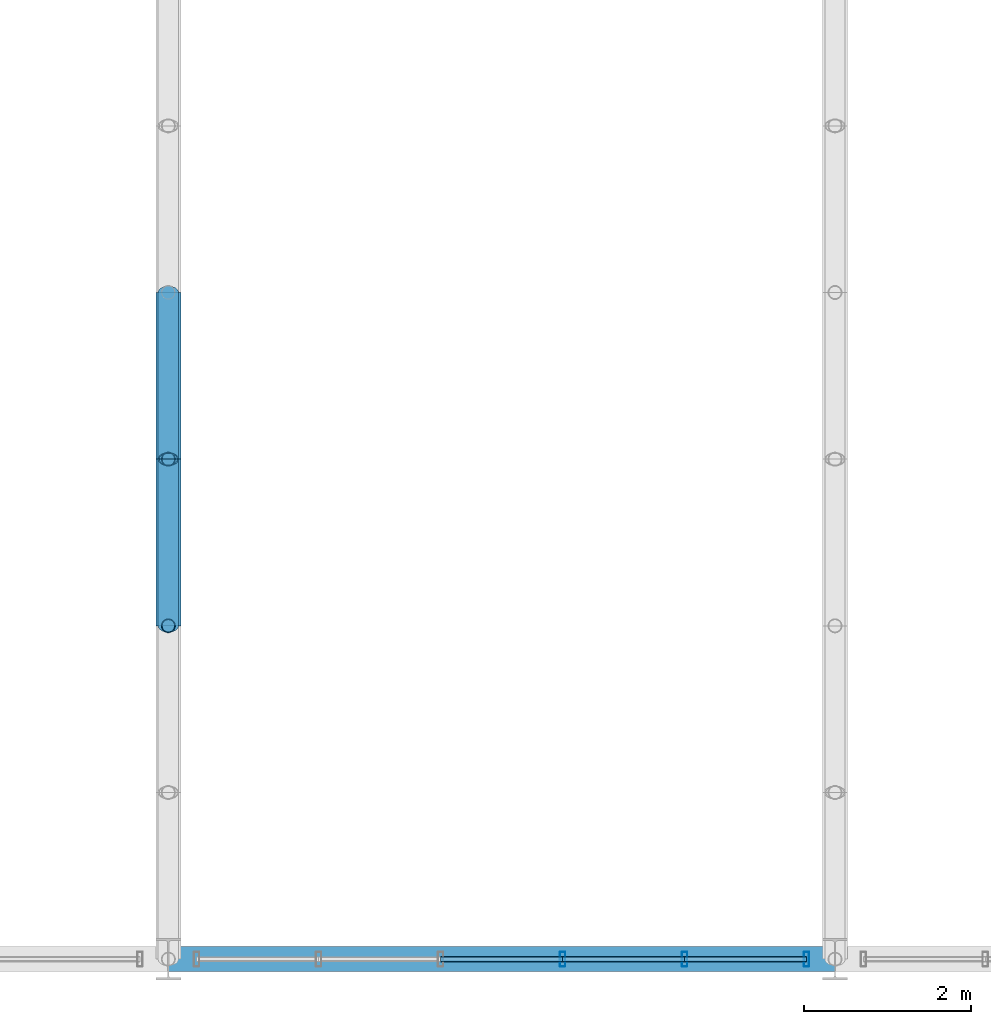
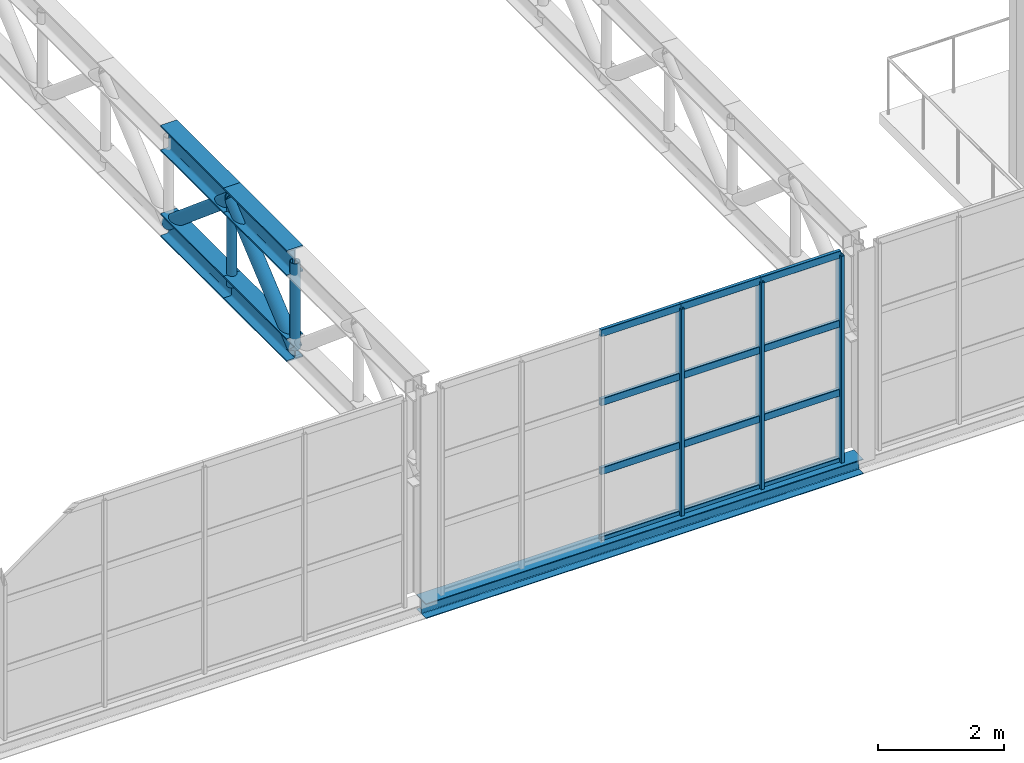
# One storey, part 19 of 67: 23 members, 1 beam, 1 element without a shape of its own.
"""IFC4 building model written with IfcOpenShell, lengths in metres."""

from ifc_helpers import new_model, si_unit, derived_unit, direction, frame, origin, origin_2d, place, context, subcontext, project, spatial, hollow_rectangle, hollow_circle, i_section, extrude, material, material_profile, profile_set, type_object, element, aggregate, save


model = new_model("IFC4")

# Units and contexts
model_context = context("Model", 3, precision=1e-05, world=origin(), true_north=direction((0.0, 1.0)))
body_context = subcontext(model_context, "Body", "Model", "MODEL_VIEW")
ifc_project = project(units=[si_unit("LENGTHUNIT", "METRE"), si_unit("AREAUNIT", "SQUARE_METRE"), si_unit("VOLUMEUNIT", "CUBIC_METRE"), si_unit("PLANEANGLEUNIT", "RADIAN"), si_unit("MASSUNIT", "GRAM", prefix="KILO"), derived_unit("THERMALTRANSMITTANCEUNIT", [(si_unit("POWERUNIT", "WATT"), 1), (si_unit("LENGTHUNIT", "METRE"), -2), (si_unit("THERMODYNAMICTEMPERATUREUNIT", "KELVIN"), -1)])], contexts=[model_context])

# Site, building, storey
site_placement = place(None, origin())
site = spatial("IfcSite", under=ifc_project, at=site_placement, CompositionType="ELEMENT")
building_placement = place(site_placement, origin())
building = spatial("IfcBuilding", under=site, at=building_placement, Name="Keldorne Ridge Multi-Sports Centre", CompositionType="ELEMENT")
storey_placement = place(building_placement, frame((0.0, 0.0, 14.0)))
storey = spatial("IfcBuildingStorey", under=building, at=storey_placement, Name="L03", CompositionType="ELEMENT", Elevation=14.0)

# Beam
ifc_material_1 = material(Name="Steel S355", Category="steel")
ifc_material_profile_1 = material_profile(ifc_material_1, i_section(OverallWidth=0.300048828125, OverallDepth=0.2900390625, WebThickness=0.008544921875, FlangeThickness=0.013916015625, FilletRadius=0.027099609375, at=origin_2d()), Name="HEA 300")
ifc_profile_set_1 = profile_set([ifc_material_profile_1], Name="Steel S355")
beam_type = type_object("IfcBeamType", Name="BM-SP-04", PredefinedType="SPANDREL", material=ifc_profile_set_1)
beam_placement = place(storey_placement, frame((144.0, 6.0, -0.14990234375), z_axis=(1.0, 0.0, 0.0), x_axis=(0.0, 1.0, 0.0)))
element("IfcBeam", 1, at=beam_placement, inside=storey, type_object=beam_type, Name="Stacked Courts spandrel L03.6.6", PredefinedType="SPANDREL", context=body_context, shape_type="SweptSolid", body=[
    extrude(i_section(OverallWidth=0.300048828125, OverallDepth=0.2900390625, WebThickness=0.008544921875, FlangeThickness=0.013916015625, FilletRadius=0.027099609375, at=origin_2d()), origin(), (0.0, 0.0, 1.0), 8.0),
])

# Curtain wall, members
ifc_material_2 = material(Name="Anodized aluminium", Category="aluminium")
curtain_wall_type = type_object("IfcCurtainWallType", Name="CW-CW-01", PredefinedType="NOTDEFINED", material=ifc_material_2)
curtain_wall_placement = place(storey_placement, origin())
curtain_wall = element("IfcCurtainWall", 2, at=curtain_wall_placement, inside=storey, type_object=curtain_wall_type, Name="Upper Courts high clerestory 121", PredefinedType="NOTDEFINED")
ifc_material_profile_2 = material_profile(ifc_material_2, hollow_rectangle(XDim=0.06494140625, YDim=0.179931640625, WallThickness=0.00439453125, InnerFilletRadius=0.00439453125, OuterFilletRadius=0.009033203125, at=origin_2d()), Name="ALU MULLION 180x65x4.5")
ifc_profile_set_2 = profile_set([ifc_material_profile_2], Name="Anodized aluminium")
member_type_1 = type_object("IfcMemberType", Name="MEM-ML-01", PredefinedType="MULLION", material=ifc_profile_set_2)
member_1_placement = place(storey_placement, frame((148.73193359375, 6.0, 0.0), z_axis=(0.0, 0.0, 1.0), x_axis=(1.0, 0.0, 0.0)))
member_1 = element("IfcMember", 3, at=member_1_placement, type_object=member_type_1, Name="CW-121 vertical mullion 4", PredefinedType="MULLION", context=body_context, shape_type="SweptSolid", body=[
    extrude(hollow_rectangle(XDim=0.06494140625, YDim=0.179931640625, WallThickness=0.00439453125, InnerFilletRadius=0.00439453125, OuterFilletRadius=0.009033203125, at=origin_2d()), origin(), (0.0, 0.0, 1.0), 4.0),
])
member_2_placement = place(storey_placement, frame((150.196044921875, 6.0, 0.0), z_axis=(0.0, 0.0, 1.0), x_axis=(1.0, 0.0, 0.0)))
member_2 = element("IfcMember", 4, at=member_2_placement, type_object=member_type_1, Name="CW-121 vertical mullion 5", PredefinedType="MULLION", context=body_context, shape_type="SweptSolid", body=[
    extrude(hollow_rectangle(XDim=0.06494140625, YDim=0.179931640625, WallThickness=0.00439453125, InnerFilletRadius=0.00439453125, OuterFilletRadius=0.009033203125, at=origin_2d()), origin(), (0.0, 0.0, 1.0), 4.0),
])
member_3_placement = place(storey_placement, frame((151.659912109375, 6.0, 0.0), z_axis=(0.0, 0.0, 1.0), x_axis=(1.0, 0.0, 0.0)))
member_3 = element("IfcMember", 5, at=member_3_placement, type_object=member_type_1, Name="CW-121 vertical mullion 6", PredefinedType="MULLION", context=body_context, shape_type="SweptSolid", body=[
    extrude(hollow_rectangle(XDim=0.06494140625, YDim=0.179931640625, WallThickness=0.00439453125, InnerFilletRadius=0.00439453125, OuterFilletRadius=0.009033203125, at=origin_2d()), origin(), (0.0, 0.0, 1.0), 4.0),
])

# Members
ifc_material_profile_3 = material_profile(ifc_material_1, i_section(OverallWidth=0.300048828125, OverallDepth=0.5, WebThickness=0.014404296875, FlangeThickness=0.028076171875, FilletRadius=0.027099609375, at=origin_2d()), Name="HEB 500")
ifc_profile_set_3 = profile_set([ifc_material_profile_3], Name="Steel S355")
member_type_2 = type_object("IfcMemberType", Name="MEM-TC-03", PredefinedType="CHORD", material=ifc_profile_set_3)
for number, where, z_axis, x_axis, name in (
    (6, (144.0, 10.0, 4.110107421875), (0.0, 1.0, 0.0), (-1.0, 0.0, 0.0), "Stacked Courts Warren TRUSS WT-L04-06 top chord 3"),
    (7, (144.0, 12.0, 4.110107421875), (0.0, 1.0, 0.0), (-1.0, 0.0, 0.0), "Stacked Courts Warren TRUSS WT-L04-06 top chord 4"),
):
    element("IfcMember", number, at=place(storey_placement, frame(where, z_axis=z_axis, x_axis=x_axis)), inside=storey, type_object=member_type_2, Name=name, PredefinedType="CHORD", context=body_context, shape_type="SweptSolid", body=[
        extrude(i_section(OverallWidth=0.300048828125, OverallDepth=0.5, WebThickness=0.014404296875, FlangeThickness=0.028076171875, FilletRadius=0.027099609375, at=origin_2d()), origin(), (0.0, 0.0, 1.0), 2.0),
    ])
ifc_material_profile_4 = material_profile(ifc_material_1, i_section(OverallWidth=0.300048828125, OverallDepth=0.449951171875, WebThickness=0.013916015625, FlangeThickness=0.02587890625, FilletRadius=0.027099609375, at=origin_2d()), Name="HEB 450")
ifc_profile_set_4 = profile_set([ifc_material_profile_4], Name="Steel S355")
member_type_3 = type_object("IfcMemberType", Name="MEM-TC-04", PredefinedType="CHORD", material=ifc_profile_set_4)
for number, where, z_axis, x_axis, name in (
    (8, (144.0, 10.0, 2.429931640625), (0.0, 1.0, 0.0), (-1.0, 0.0, 0.0), "Stacked Courts Warren TRUSS WT-L04-06 bottom chord 3"),
    (9, (144.0, 12.0, 2.429931640625), (0.0, 1.0, 0.0), (-1.0, 0.0, 0.0), "Stacked Courts Warren TRUSS WT-L04-06 bottom chord 4"),
):
    element("IfcMember", number, at=place(storey_placement, frame(where, z_axis=z_axis, x_axis=x_axis)), inside=storey, type_object=member_type_3, Name=name, PredefinedType="CHORD", context=body_context, shape_type="SweptSolid", body=[
        extrude(i_section(OverallWidth=0.300048828125, OverallDepth=0.449951171875, WebThickness=0.013916015625, FlangeThickness=0.02587890625, FilletRadius=0.027099609375, at=origin_2d()), origin(), (0.0, 0.0, 1.0), 2.0),
    ])
ifc_material_profile_5 = material_profile(ifc_material_1, hollow_circle(Radius=0.122314453125, WallThickness=0.012451171875, at=origin_2d()), Name="CHS 244.5x12.5")
ifc_profile_set_5 = profile_set([ifc_material_profile_5], Name="Steel S355")
member_type_4 = type_object("IfcMemberType", Name="MEM-TD-02", PredefinedType="BRACE", material=ifc_profile_set_5)
for number, where, z_axis, x_axis, name in (
    (10, (144.0, 10.0, 2.429931640625), (0.0, 0.765671721121, 0.643231541108), (-1.0, 0.0, 0.0), "Stacked Courts Warren TRUSS WT-L04-06 diagonal 3"),
    (11, (144.0, 12.0, 4.110107421875), (0.0, 0.765671721121, -0.643231541108), (-1.0, 0.0, 0.0), "Stacked Courts Warren TRUSS WT-L04-06 diagonal 4"),
):
    element("IfcMember", number, at=place(storey_placement, frame(where, z_axis=z_axis, x_axis=x_axis)), inside=storey, type_object=member_type_4, Name=name, PredefinedType="BRACE", context=body_context, shape_type="SweptSolid", body=[
        extrude(hollow_circle(Radius=0.122314453125, WallThickness=0.012451171875, at=origin_2d()), origin(), (0.0, 0.0, 1.0), 2.612060546875),
    ])

# Member
ifc_material_profile_6 = material_profile(ifc_material_2, hollow_rectangle(XDim=0.06494140625, YDim=0.139892578125, WallThickness=0.00439453125, InnerFilletRadius=0.00439453125, OuterFilletRadius=0.009033203125, at=origin_2d()), Name="ALU TRANSOM 140x65x4.5")
ifc_profile_set_6 = profile_set([ifc_material_profile_6], Name="Anodized aluminium")
member_type_5 = type_object("IfcMemberType", Name="MEM-TR-01", PredefinedType="USERDEFINED", material=ifc_profile_set_6)
member_4_placement = place(storey_placement, frame((147.26806640625, 6.0, 0.0), z_axis=(1.0, 0.0, 0.0), x_axis=(0.0, 1.0, 0.0)))
member_4 = element("IfcMember", 12, at=member_4_placement, type_object=member_type_5, Name="CW-121 transom 3.1", ObjectType="TRANSOM", PredefinedType="USERDEFINED", context=body_context, shape_type="SweptSolid", body=[
    extrude(hollow_rectangle(XDim=0.06494140625, YDim=0.139892578125, WallThickness=0.00439453125, InnerFilletRadius=0.00439453125, OuterFilletRadius=0.009033203125, at=origin_2d()), origin(), (0.0, 0.0, 1.0), 1.4638671875),
])

member_5_placement = place(storey_placement, frame((147.26806640625, 6.0, 1.333251953125), z_axis=(1.0, 0.0, 0.0), x_axis=(0.0, 1.0, 0.0)))
member_5 = element("IfcMember", 13, at=member_5_placement, type_object=member_type_5, Name="CW-121 transom 3.2", ObjectType="TRANSOM", PredefinedType="USERDEFINED", context=body_context, shape_type="SweptSolid", body=[
    extrude(hollow_rectangle(XDim=0.06494140625, YDim=0.139892578125, WallThickness=0.00439453125, InnerFilletRadius=0.00439453125, OuterFilletRadius=0.009033203125, at=origin_2d()), origin(), (0.0, 0.0, 1.0), 1.4638671875),
])

member_6_placement = place(storey_placement, frame((147.26806640625, 6.0, 2.666748046875), z_axis=(1.0, 0.0, 0.0), x_axis=(0.0, 1.0, 0.0)))
member_6 = element("IfcMember", 14, at=member_6_placement, type_object=member_type_5, Name="CW-121 transom 3.3", ObjectType="TRANSOM", PredefinedType="USERDEFINED", context=body_context, shape_type="SweptSolid", body=[
    extrude(hollow_rectangle(XDim=0.06494140625, YDim=0.139892578125, WallThickness=0.00439453125, InnerFilletRadius=0.00439453125, OuterFilletRadius=0.009033203125, at=origin_2d()), origin(), (0.0, 0.0, 1.0), 1.4638671875),
])

member_7_placement = place(storey_placement, frame((147.26806640625, 6.0, 4.0), z_axis=(1.0, 0.0, 0.0), x_axis=(0.0, 1.0, 0.0)))
member_7 = element("IfcMember", 15, at=member_7_placement, type_object=member_type_5, Name="CW-121 transom 3.4", ObjectType="TRANSOM", PredefinedType="USERDEFINED", context=body_context, shape_type="SweptSolid", body=[
    extrude(hollow_rectangle(XDim=0.06494140625, YDim=0.139892578125, WallThickness=0.00439453125, InnerFilletRadius=0.00439453125, OuterFilletRadius=0.009033203125, at=origin_2d()), origin(), (0.0, 0.0, 1.0), 1.4638671875),
])

member_8_placement = place(storey_placement, frame((148.73193359375, 6.0, 0.0), z_axis=(1.0, 0.0, 0.0), x_axis=(0.0, 1.0, 0.0)))
member_8 = element("IfcMember", 16, at=member_8_placement, type_object=member_type_5, Name="CW-121 transom 4.1", ObjectType="TRANSOM", PredefinedType="USERDEFINED", context=body_context, shape_type="SweptSolid", body=[
    extrude(hollow_rectangle(XDim=0.06494140625, YDim=0.139892578125, WallThickness=0.00439453125, InnerFilletRadius=0.00439453125, OuterFilletRadius=0.009033203125, at=origin_2d()), origin(), (0.0, 0.0, 1.0), 1.464111328125),
])

member_9_placement = place(storey_placement, frame((148.73193359375, 6.0, 1.333251953125), z_axis=(1.0, 0.0, 0.0), x_axis=(0.0, 1.0, 0.0)))
member_9 = element("IfcMember", 17, at=member_9_placement, type_object=member_type_5, Name="CW-121 transom 4.2", ObjectType="TRANSOM", PredefinedType="USERDEFINED", context=body_context, shape_type="SweptSolid", body=[
    extrude(hollow_rectangle(XDim=0.06494140625, YDim=0.139892578125, WallThickness=0.00439453125, InnerFilletRadius=0.00439453125, OuterFilletRadius=0.009033203125, at=origin_2d()), origin(), (0.0, 0.0, 1.0), 1.464111328125),
])

member_10_placement = place(storey_placement, frame((148.73193359375, 6.0, 2.666748046875), z_axis=(1.0, 0.0, 0.0), x_axis=(0.0, 1.0, 0.0)))
member_10 = element("IfcMember", 18, at=member_10_placement, type_object=member_type_5, Name="CW-121 transom 4.3", ObjectType="TRANSOM", PredefinedType="USERDEFINED", context=body_context, shape_type="SweptSolid", body=[
    extrude(hollow_rectangle(XDim=0.06494140625, YDim=0.139892578125, WallThickness=0.00439453125, InnerFilletRadius=0.00439453125, OuterFilletRadius=0.009033203125, at=origin_2d()), origin(), (0.0, 0.0, 1.0), 1.464111328125),
])

member_11_placement = place(storey_placement, frame((148.73193359375, 6.0, 4.0), z_axis=(1.0, 0.0, 0.0), x_axis=(0.0, 1.0, 0.0)))
member_11 = element("IfcMember", 19, at=member_11_placement, type_object=member_type_5, Name="CW-121 transom 4.4", ObjectType="TRANSOM", PredefinedType="USERDEFINED", context=body_context, shape_type="SweptSolid", body=[
    extrude(hollow_rectangle(XDim=0.06494140625, YDim=0.139892578125, WallThickness=0.00439453125, InnerFilletRadius=0.00439453125, OuterFilletRadius=0.009033203125, at=origin_2d()), origin(), (0.0, 0.0, 1.0), 1.464111328125),
])

member_12_placement = place(storey_placement, frame((150.196044921875, 6.0, 0.0), z_axis=(1.0, 0.0, 0.0), x_axis=(0.0, 1.0, 0.0)))
member_12 = element("IfcMember", 20, at=member_12_placement, type_object=member_type_5, Name="CW-121 transom 5.1", ObjectType="TRANSOM", PredefinedType="USERDEFINED", context=body_context, shape_type="SweptSolid", body=[
    extrude(hollow_rectangle(XDim=0.06494140625, YDim=0.139892578125, WallThickness=0.00439453125, InnerFilletRadius=0.00439453125, OuterFilletRadius=0.009033203125, at=origin_2d()), origin(), (0.0, 0.0, 1.0), 1.4638671875),
])

member_13_placement = place(storey_placement, frame((150.196044921875, 6.0, 1.333251953125), z_axis=(1.0, 0.0, 0.0), x_axis=(0.0, 1.0, 0.0)))
member_13 = element("IfcMember", 21, at=member_13_placement, type_object=member_type_5, Name="CW-121 transom 5.2", ObjectType="TRANSOM", PredefinedType="USERDEFINED", context=body_context, shape_type="SweptSolid", body=[
    extrude(hollow_rectangle(XDim=0.06494140625, YDim=0.139892578125, WallThickness=0.00439453125, InnerFilletRadius=0.00439453125, OuterFilletRadius=0.009033203125, at=origin_2d()), origin(), (0.0, 0.0, 1.0), 1.4638671875),
])

member_14_placement = place(storey_placement, frame((150.196044921875, 6.0, 2.666748046875), z_axis=(1.0, 0.0, 0.0), x_axis=(0.0, 1.0, 0.0)))
member_14 = element("IfcMember", 22, at=member_14_placement, type_object=member_type_5, Name="CW-121 transom 5.3", ObjectType="TRANSOM", PredefinedType="USERDEFINED", context=body_context, shape_type="SweptSolid", body=[
    extrude(hollow_rectangle(XDim=0.06494140625, YDim=0.139892578125, WallThickness=0.00439453125, InnerFilletRadius=0.00439453125, OuterFilletRadius=0.009033203125, at=origin_2d()), origin(), (0.0, 0.0, 1.0), 1.4638671875),
])

member_15_placement = place(storey_placement, frame((150.196044921875, 6.0, 4.0), z_axis=(1.0, 0.0, 0.0), x_axis=(0.0, 1.0, 0.0)))
member_15 = element("IfcMember", 23, at=member_15_placement, type_object=member_type_5, Name="CW-121 transom 5.4", ObjectType="TRANSOM", PredefinedType="USERDEFINED", context=body_context, shape_type="SweptSolid", body=[
    extrude(hollow_rectangle(XDim=0.06494140625, YDim=0.139892578125, WallThickness=0.00439453125, InnerFilletRadius=0.00439453125, OuterFilletRadius=0.009033203125, at=origin_2d()), origin(), (0.0, 0.0, 1.0), 1.4638671875),
])

aggregate(curtain_wall, [member_1, member_2, member_3, member_4, member_5, member_6, member_7, member_8, member_9, member_10, member_11, member_12, member_13, member_14, member_15])

# Members
ifc_material_profile_7 = material_profile(ifc_material_1, hollow_circle(Radius=0.084228515625, WallThickness=0.010009765625, at=origin_2d()), Name="CHS 168.3x10")
ifc_profile_set_7 = profile_set([ifc_material_profile_7], Name="Steel S355")
member_type_6 = type_object("IfcMemberType", Name="MEM-TV-01", PredefinedType="STRUT", material=ifc_profile_set_7)
for number, where, z_axis, x_axis, name in (
    (24, (144.0, 10.0, 2.429931640625), (0.0, 0.0, 1.0), (1.0, 0.0, 0.0), "Stacked Courts Warren TRUSS WT-L04-06 post 3"),
    (25, (144.0, 12.0, 2.429931640625), (0.0, 0.0, 1.0), (1.0, 0.0, 0.0), "Stacked Courts Warren TRUSS WT-L04-06 post 4"),
):
    element("IfcMember", number, at=place(storey_placement, frame(where, z_axis=z_axis, x_axis=x_axis)), inside=storey, type_object=member_type_6, Name=name, PredefinedType="STRUT", context=body_context, shape_type="SweptSolid", body=[
        extrude(hollow_circle(Radius=0.084228515625, WallThickness=0.010009765625, at=origin_2d()), origin(), (0.0, 0.0, 1.0), 1.68017578125),
    ])

save(model, "model.ifc")
